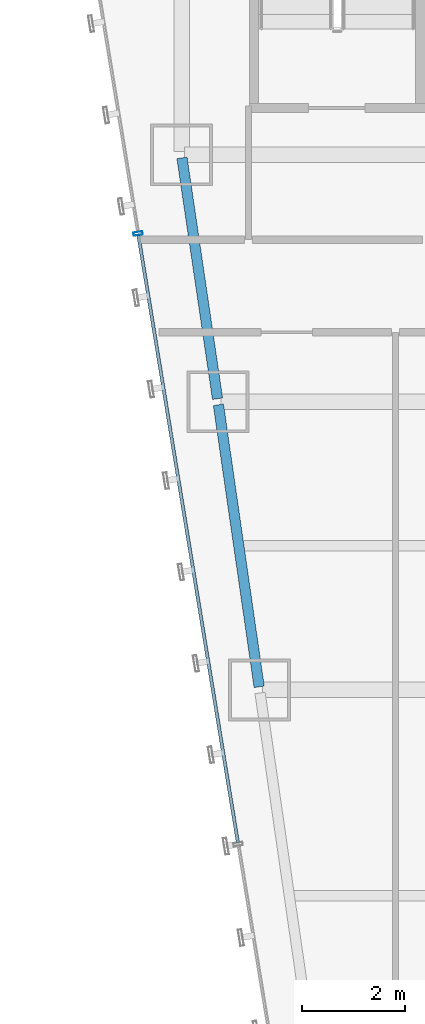
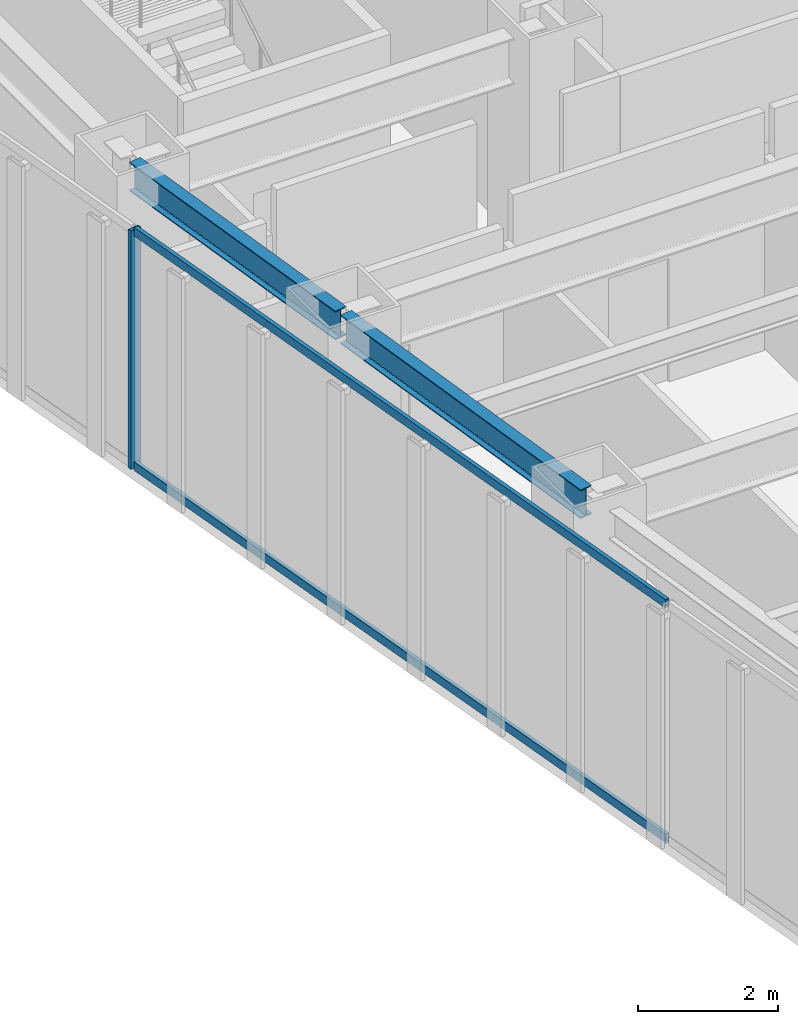
# One storey, part 22 of 47: 3 members, 2 beams, 1 element without a shape of its own.
"""IFC4 building model written with IfcOpenShell, lengths in metres."""

from ifc_helpers import new_model, si_unit, direction, frame, origin, origin_2d, place, context, subcontext, project, spatial, hollow_rectangle, i_section, extrude, material, material_profile, profile_set, type_object, element, aggregate, save


model = new_model("IFC4")

# Units and contexts
model_context = context("Model", 3, precision=1e-05, world=origin(), true_north=direction((0.0, 1.0)))
body_context = subcontext(model_context, "Body", "Model", "MODEL_VIEW")
ifc_project = project(units=[si_unit("LENGTHUNIT", "METRE"), si_unit("AREAUNIT", "SQUARE_METRE"), si_unit("VOLUMEUNIT", "CUBIC_METRE"), si_unit("PLANEANGLEUNIT", "RADIAN"), si_unit("MASSUNIT", "GRAM", prefix="KILO")], contexts=[model_context])

# Site, building, storey
site_placement = place(None, origin())
site = spatial("IfcSite", under=ifc_project, at=site_placement, CompositionType="ELEMENT")
building_placement = place(site_placement, origin())
building = spatial("IfcBuilding", under=site, at=building_placement, Name="Saevonmaru Cultural Tower", CompositionType="ELEMENT")
storey_placement = place(building_placement, frame((0.0, 0.0, 78.0)))
storey = spatial("IfcBuildingStorey", under=building, at=storey_placement, Name="L16", CompositionType="ELEMENT", Elevation=78.0)

# Beams
ifc_material_1 = material(Name="Steel SM355", Category="steel")
ifc_material_profile_1 = material_profile(ifc_material_1, i_section(OverallWidth=0.199951171875, OverallDepth=0.5, WebThickness=0.010009765625, FlangeThickness=0.01611328125, FilletRadius=0.02001953125, at=origin_2d()), Name="H-500x200x10x16")
ifc_profile_set_1 = profile_set([ifc_material_profile_1], Name="Steel SM355")
beam_type = type_object("IfcBeamType", Name="BM-SP-H500", PredefinedType="SPANDREL", material=ifc_profile_set_1)
beam_1_placement = place(storey_placement, frame((8.308349609375, 32.059326171875, 3.89990234375), z_axis=(-0.142964121327, 0.989727871697, 0.0), x_axis=(-0.989727871697, -0.142964121327, 0.0)))
element("IfcBeam", 1, at=beam_1_placement, inside=storey, type_object=beam_type, Name="L16 West Splayed Spandrel 5", PredefinedType="SPANDREL", context=body_context, shape_type="SweptSolid", body=[
    extrude(i_section(OverallWidth=0.199951171875, OverallDepth=0.5, WebThickness=0.010009765625, FlangeThickness=0.01611328125, FilletRadius=0.02001953125, at=origin_2d()), origin(), (0.0, 0.0, 1.0), 5.5380859375),
])
beam_2_placement = place(storey_placement, frame((7.499267578125, 37.659423828125, 3.89990234375), z_axis=(-0.145912860028, 0.989297446312, 0.0), x_axis=(-0.989297446312, -0.145912860028, 0.0)))
element("IfcBeam", 2, at=beam_2_placement, inside=storey, type_object=beam_type, Name="L16 West Splayed Spandrel 6", PredefinedType="SPANDREL", context=body_context, shape_type="SweptSolid", body=[
    extrude(i_section(OverallWidth=0.199951171875, OverallDepth=0.5, WebThickness=0.010009765625, FlangeThickness=0.01611328125, FilletRadius=0.02001953125, at=origin_2d()), origin(), (0.0, 0.0, 1.0), 4.731689453125),
])

# Curtain wall, members
ifc_material_2 = material(Name="Satin Bronze Anodised Aluminium", Category="aluminium")
curtain_wall_type = type_object("IfcCurtainWallType", Name="CW-TYP-A", PredefinedType="NOTDEFINED", material=ifc_material_2)
curtain_wall_placement = place(storey_placement, origin())
curtain_wall = element("IfcCurtainWall", 3, at=curtain_wall_placement, inside=storey, type_object=curtain_wall_type, Name="L16 Unitised Curtain Wall E12", PredefinedType="NOTDEFINED")
ifc_material_profile_2 = material_profile(ifc_material_2, hollow_rectangle(XDim=0.06494140625, YDim=0.179931640625, WallThickness=0.00390625, at=origin_2d()), Name="ALU-MULL-180x65x4")
ifc_profile_set_2 = profile_set([ifc_material_profile_2], Name="Satin Bronze Anodised Aluminium")
member_type_1 = type_object("IfcMemberType", Name="ML-CW-180x65", PredefinedType="MULLION", material=ifc_profile_set_2)
member_1_placement = place(storey_placement, frame((5.954833984375, 40.870361328125, 0.0), z_axis=(0.0, 0.0, 1.0), x_axis=(0.161708868641, -0.986838508472, 0.0)))
member_1 = element("IfcMember", 4, at=member_1_placement, type_object=member_type_1, Name="CW-TW-L16-E12 mullion 2", PredefinedType="MULLION", context=body_context, shape_type="SweptSolid", body=[
    extrude(hollow_rectangle(XDim=0.06494140625, YDim=0.179931640625, WallThickness=0.00390625, at=origin_2d()), origin(), (0.0, 0.0, 1.0), 4.14990234375),
])
ifc_material_profile_3 = material_profile(ifc_material_2, hollow_rectangle(XDim=0.06494140625, YDim=0.14990234375, WallThickness=0.00390625, at=origin_2d()), Name="ALU-TRAN-150x65x4")
ifc_profile_set_3 = profile_set([ifc_material_profile_3], Name="Satin Bronze Anodised Aluminium")
member_type_2 = type_object("IfcMemberType", Name="TR-CW-150x65", PredefinedType="USERDEFINED", material=ifc_profile_set_3)
member_2_placement = place(storey_placement, frame((5.960205078125, 40.83837890625, 0.032470703125), z_axis=(0.161701400727, -0.986839732177, 0.0), x_axis=(0.986839732177, 0.161701400727, 0.0)))
member_2 = element("IfcMember", 5, at=member_2_placement, type_object=member_type_2, Name="CW-TW-L16-E12 transom 2.1", ObjectType="TRANSOM", PredefinedType="USERDEFINED", context=body_context, shape_type="SweptSolid", body=[
    extrude(hollow_rectangle(XDim=0.06494140625, YDim=0.14990234375, WallThickness=0.00390625, at=origin_2d()), origin(), (0.0, 0.0, 1.0), 11.9638671875),
])
member_3_placement = place(storey_placement, frame((5.960205078125, 40.83837890625, 4.117431640625), z_axis=(0.161701400727, -0.986839732177, 0.0), x_axis=(0.986839732177, 0.161701400727, 0.0)))
member_3 = element("IfcMember", 6, at=member_3_placement, type_object=member_type_2, Name="CW-TW-L16-E12 transom 2.2", ObjectType="TRANSOM", PredefinedType="USERDEFINED", context=body_context, shape_type="SweptSolid", body=[
    extrude(hollow_rectangle(XDim=0.06494140625, YDim=0.14990234375, WallThickness=0.00390625, at=origin_2d()), origin(), (0.0, 0.0, 1.0), 11.9638671875),
])
aggregate(curtain_wall, [member_1, member_2, member_3])

save(model, "model.ifc")
